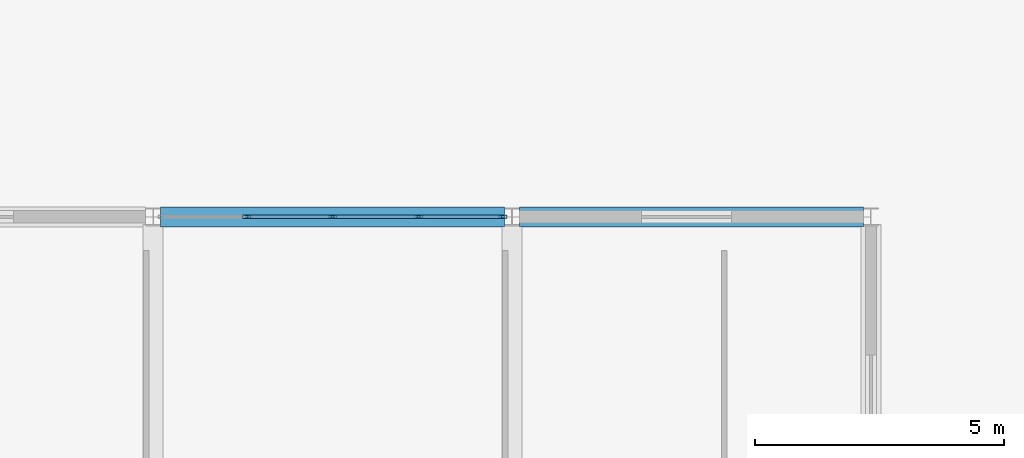
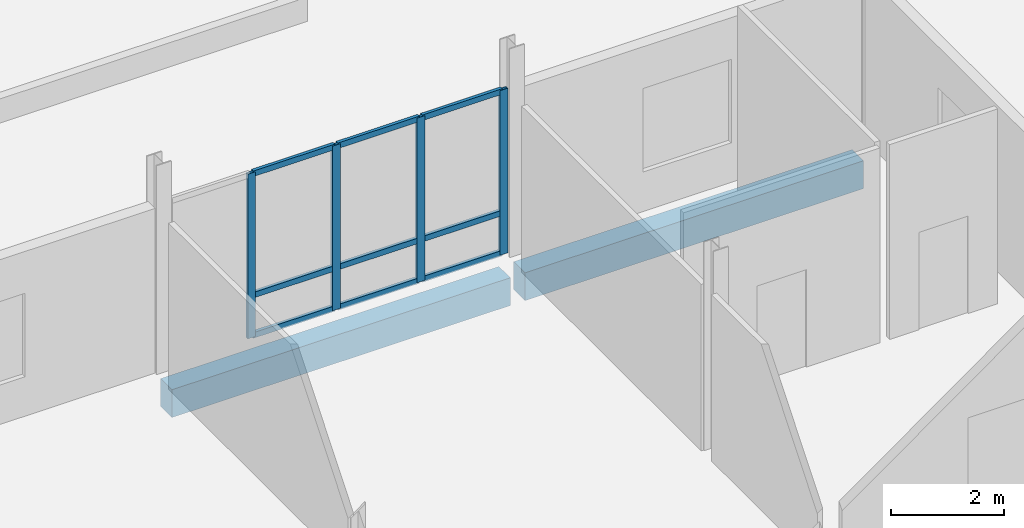
# One storey, part 90 of 139: 13 members, 2 beams, 1 element without a shape of its own.
"""IFC4 building model written with IfcOpenShell, lengths in metres."""

from ifc_helpers import new_model, si_unit, direction, frame, origin, origin_2d, place, context, subcontext, project, spatial, rectangle, hollow_rectangle, extrude, material, material_profile, profile_set, type_object, element, aggregate, save


model = new_model("IFC4")

# Units and contexts
model_context = context("Model", 3, precision=1e-05, world=origin(), true_north=direction((0.0, 1.0)))
body_context = subcontext(model_context, "Body", "Model", "MODEL_VIEW")
ifc_project = project(units=[si_unit("LENGTHUNIT", "METRE"), si_unit("AREAUNIT", "SQUARE_METRE"), si_unit("VOLUMEUNIT", "CUBIC_METRE"), si_unit("PLANEANGLEUNIT", "RADIAN"), si_unit("MASSUNIT", "GRAM", prefix="KILO")], contexts=[model_context])

# Site, building, storey
site_placement = place(None, origin())
site = spatial("IfcSite", under=ifc_project, at=site_placement, CompositionType="ELEMENT")
building_placement = place(site_placement, origin())
building = spatial("IfcBuilding", under=site, at=building_placement, Name="Suanplinth Sawtooth Commons", CompositionType="ELEMENT")
storey_placement = place(building_placement, origin())
storey = spatial("IfcBuildingStorey", under=building, at=storey_placement, Name="L00", CompositionType="ELEMENT", Elevation=0.0)

# Beams
ifc_material_1 = material(Name="Precast concrete C40/50", Category="concrete")
ifc_material_profile_1 = material_profile(ifc_material_1, rectangle(XDim=0.39990234375, YDim=0.60009765625, at=origin_2d()), Name="PC-GDR 400x600")
ifc_profile_set_1 = profile_set([ifc_material_profile_1], Name="Precast concrete C40/50")
beam_type = type_object("IfcBeamType", Name="B-05", PredefinedType="USERDEFINED", material=ifc_profile_set_1)
for number, where, z_axis, x_axis, name in (
    (1, (158.550048828125, 72.0, -0.719970703125), (1.0, 0.0, 0.0), (0.0, 1.0, 0.0), "BMX-L00-NURS-22-10"),
    (2, (165.75, 72.0, -0.719970703125), (1.0, 0.0, 0.0), (0.0, 1.0, 0.0), "BMX-L00-NURS-23-10"),
):
    element("IfcBeam", number, at=place(storey_placement, frame(where, z_axis=z_axis, x_axis=x_axis)), inside=storey, type_object=beam_type, Name=name, ObjectType="GIRDER", PredefinedType="USERDEFINED", context=body_context, shape_type="SweptSolid", body=[
        extrude(rectangle(XDim=0.39990234375, YDim=0.60009765625, at=origin_2d()), origin(), (0.0, 0.0, 1.0), 6.89990234375),
    ])

# Curtain wall, members
ifc_material_2 = material(Name="Anodized aluminium and low-E glazing", Category="aluminium")
curtain_wall_type = type_object("IfcCurtainWallType", Name="CW-02", PredefinedType="USERDEFINED", material=ifc_material_2)
curtain_wall_placement = place(storey_placement, origin())
curtain_wall = element("IfcCurtainWall", 3, at=curtain_wall_placement, inside=storey, type_object=curtain_wall_type, Name="Curtain Wall CW-L00-NURS-N-22", ObjectType="CURTAIN WALL", PredefinedType="USERDEFINED")
ifc_material_3 = material(Name="Anodized aluminium 6063-T6", Category="aluminium")
ifc_material_profile_2 = material_profile(ifc_material_3, hollow_rectangle(XDim=0.06494140625, YDim=0.159912109375, WallThickness=0.00390625, at=origin_2d()), Name="ALU-MUL 65x160")
ifc_profile_set_2 = profile_set([ifc_material_profile_2], Name="Anodized aluminium 6063-T6")
member_type_1 = type_object("IfcMemberType", Name="M-13", PredefinedType="MULLION", material=ifc_profile_set_2)
member_1_placement = place(storey_placement, frame((160.27490234375, 72.0, 0.0), z_axis=(0.0, 0.0, 1.0), x_axis=(0.0, 1.0, 0.0)))
member_1 = element("IfcMember", 4, at=member_1_placement, type_object=member_type_1, Name="CW-02 mullion 2", PredefinedType="MULLION", context=body_context, shape_type="SweptSolid", body=[
    extrude(hollow_rectangle(XDim=0.06494140625, YDim=0.159912109375, WallThickness=0.00390625, at=origin_2d()), origin(), (0.0, 0.0, 1.0), 3.550048828125),
])
member_2_placement = place(storey_placement, frame((162.0, 72.0, 0.0), z_axis=(0.0, 0.0, 1.0), x_axis=(0.0, 1.0, 0.0)))
member_2 = element("IfcMember", 5, at=member_2_placement, type_object=member_type_1, Name="CW-02 mullion 3", PredefinedType="MULLION", context=body_context, shape_type="SweptSolid", body=[
    extrude(hollow_rectangle(XDim=0.06494140625, YDim=0.159912109375, WallThickness=0.00390625, at=origin_2d()), origin(), (0.0, 0.0, 1.0), 3.550048828125),
])
member_3_placement = place(storey_placement, frame((163.72509765625, 72.0, 0.0), z_axis=(0.0, 0.0, 1.0), x_axis=(0.0, 1.0, 0.0)))
member_3 = element("IfcMember", 6, at=member_3_placement, type_object=member_type_1, Name="CW-02 mullion 4", PredefinedType="MULLION", context=body_context, shape_type="SweptSolid", body=[
    extrude(hollow_rectangle(XDim=0.06494140625, YDim=0.159912109375, WallThickness=0.00390625, at=origin_2d()), origin(), (0.0, 0.0, 1.0), 3.550048828125),
])
member_4_placement = place(storey_placement, frame((165.41748046875, 72.0, 0.0), z_axis=(0.0, 0.0, 1.0), x_axis=(0.0, 1.0, 0.0)))
member_4 = element("IfcMember", 7, at=member_4_placement, type_object=member_type_1, Name="CW-02 mullion 5", PredefinedType="MULLION", context=body_context, shape_type="SweptSolid", body=[
    extrude(hollow_rectangle(XDim=0.06494140625, YDim=0.159912109375, WallThickness=0.00390625, at=origin_2d()), origin(), (0.0, 0.0, 1.0), 3.550048828125),
])
ifc_material_profile_3 = material_profile(ifc_material_3, hollow_rectangle(XDim=0.06494140625, YDim=0.1201171875, WallThickness=0.00390625, at=origin_2d()), Name="ALU-TRN 65x120")
ifc_profile_set_3 = profile_set([ifc_material_profile_3], Name="Anodized aluminium 6063-T6")
member_type_2 = type_object("IfcMemberType", Name="M-15", PredefinedType="USERDEFINED", material=ifc_profile_set_3)
member_5_placement = place(storey_placement, frame((160.3076171875, 72.0, 0.032470703125), z_axis=(1.0, 0.0, 0.0), x_axis=(0.0, 1.0, 0.0)))
member_5 = element("IfcMember", 8, at=member_5_placement, type_object=member_type_2, Name="CW-02 transom 2.1", ObjectType="TRANSOM", PredefinedType="USERDEFINED", context=body_context, shape_type="SweptSolid", body=[
    extrude(hollow_rectangle(XDim=0.06494140625, YDim=0.1201171875, WallThickness=0.00390625, at=origin_2d()), origin(), (0.0, 0.0, 1.0), 1.659912109375),
])
member_6_placement = place(storey_placement, frame((160.3076171875, 72.0, 0.89990234375), z_axis=(1.0, 0.0, 0.0), x_axis=(0.0, 1.0, 0.0)))
member_6 = element("IfcMember", 9, at=member_6_placement, type_object=member_type_2, Name="CW-02 transom 2.2", ObjectType="TRANSOM", PredefinedType="USERDEFINED", context=body_context, shape_type="SweptSolid", body=[
    extrude(hollow_rectangle(XDim=0.06494140625, YDim=0.1201171875, WallThickness=0.00390625, at=origin_2d()), origin(), (0.0, 0.0, 1.0), 1.659912109375),
])
member_7_placement = place(storey_placement, frame((160.3076171875, 72.0, 3.517578125), z_axis=(1.0, 0.0, 0.0), x_axis=(0.0, 1.0, 0.0)))
member_7 = element("IfcMember", 10, at=member_7_placement, type_object=member_type_2, Name="CW-02 transom 2.3", ObjectType="TRANSOM", PredefinedType="USERDEFINED", context=body_context, shape_type="SweptSolid", body=[
    extrude(hollow_rectangle(XDim=0.06494140625, YDim=0.1201171875, WallThickness=0.00390625, at=origin_2d()), origin(), (0.0, 0.0, 1.0), 1.659912109375),
])
member_8_placement = place(storey_placement, frame((162.032470703125, 72.0, 0.032470703125), z_axis=(1.0, 0.0, 0.0), x_axis=(0.0, 1.0, 0.0)))
member_8 = element("IfcMember", 11, at=member_8_placement, type_object=member_type_2, Name="CW-02 transom 3.1", ObjectType="TRANSOM", PredefinedType="USERDEFINED", context=body_context, shape_type="SweptSolid", body=[
    extrude(hollow_rectangle(XDim=0.06494140625, YDim=0.1201171875, WallThickness=0.00390625, at=origin_2d()), origin(), (0.0, 0.0, 1.0), 1.659912109375),
])
member_9_placement = place(storey_placement, frame((162.032470703125, 72.0, 0.89990234375), z_axis=(1.0, 0.0, 0.0), x_axis=(0.0, 1.0, 0.0)))
member_9 = element("IfcMember", 12, at=member_9_placement, type_object=member_type_2, Name="CW-02 transom 3.2", ObjectType="TRANSOM", PredefinedType="USERDEFINED", context=body_context, shape_type="SweptSolid", body=[
    extrude(hollow_rectangle(XDim=0.06494140625, YDim=0.1201171875, WallThickness=0.00390625, at=origin_2d()), origin(), (0.0, 0.0, 1.0), 1.659912109375),
])
member_10_placement = place(storey_placement, frame((162.032470703125, 72.0, 3.517578125), z_axis=(1.0, 0.0, 0.0), x_axis=(0.0, 1.0, 0.0)))
member_10 = element("IfcMember", 13, at=member_10_placement, type_object=member_type_2, Name="CW-02 transom 3.3", ObjectType="TRANSOM", PredefinedType="USERDEFINED", context=body_context, shape_type="SweptSolid", body=[
    extrude(hollow_rectangle(XDim=0.06494140625, YDim=0.1201171875, WallThickness=0.00390625, at=origin_2d()), origin(), (0.0, 0.0, 1.0), 1.659912109375),
])
member_11_placement = place(storey_placement, frame((163.757568359375, 72.0, 0.032470703125), z_axis=(1.0, 0.0, 0.0), x_axis=(0.0, 1.0, 0.0)))
member_11 = element("IfcMember", 14, at=member_11_placement, type_object=member_type_2, Name="CW-02 transom 4.1", ObjectType="TRANSOM", PredefinedType="USERDEFINED", context=body_context, shape_type="SweptSolid", body=[
    extrude(hollow_rectangle(XDim=0.06494140625, YDim=0.1201171875, WallThickness=0.00390625, at=origin_2d()), origin(), (0.0, 0.0, 1.0), 1.62744140625),
])
member_12_placement = place(storey_placement, frame((163.757568359375, 72.0, 0.89990234375), z_axis=(1.0, 0.0, 0.0), x_axis=(0.0, 1.0, 0.0)))
member_12 = element("IfcMember", 15, at=member_12_placement, type_object=member_type_2, Name="CW-02 transom 4.2", ObjectType="TRANSOM", PredefinedType="USERDEFINED", context=body_context, shape_type="SweptSolid", body=[
    extrude(hollow_rectangle(XDim=0.06494140625, YDim=0.1201171875, WallThickness=0.00390625, at=origin_2d()), origin(), (0.0, 0.0, 1.0), 1.62744140625),
])
member_13_placement = place(storey_placement, frame((163.757568359375, 72.0, 3.517578125), z_axis=(1.0, 0.0, 0.0), x_axis=(0.0, 1.0, 0.0)))
member_13 = element("IfcMember", 16, at=member_13_placement, type_object=member_type_2, Name="CW-02 transom 4.3", ObjectType="TRANSOM", PredefinedType="USERDEFINED", context=body_context, shape_type="SweptSolid", body=[
    extrude(hollow_rectangle(XDim=0.06494140625, YDim=0.1201171875, WallThickness=0.00390625, at=origin_2d()), origin(), (0.0, 0.0, 1.0), 1.62744140625),
])
aggregate(curtain_wall, [member_1, member_2, member_3, member_4, member_5, member_6, member_7, member_8, member_9, member_10, member_11, member_12, member_13])

save(model, "model.ifc")
